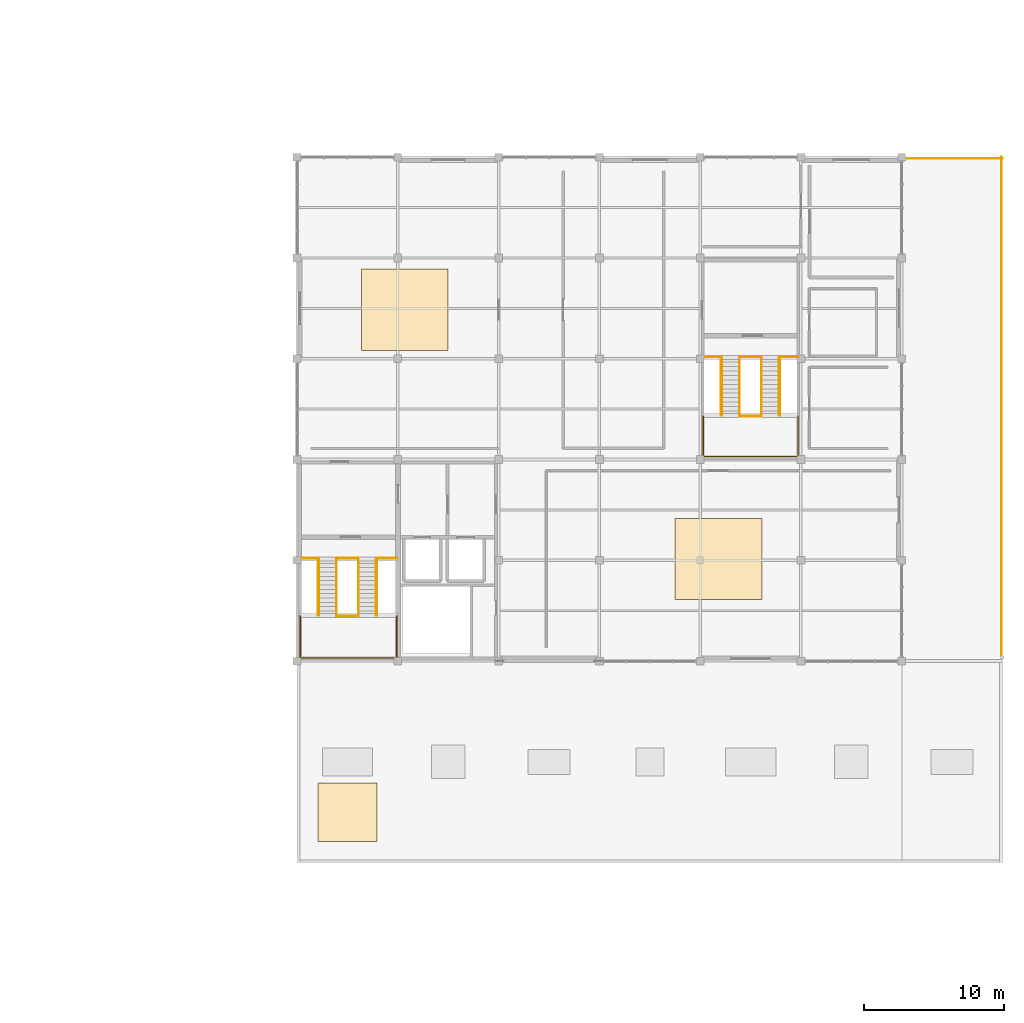
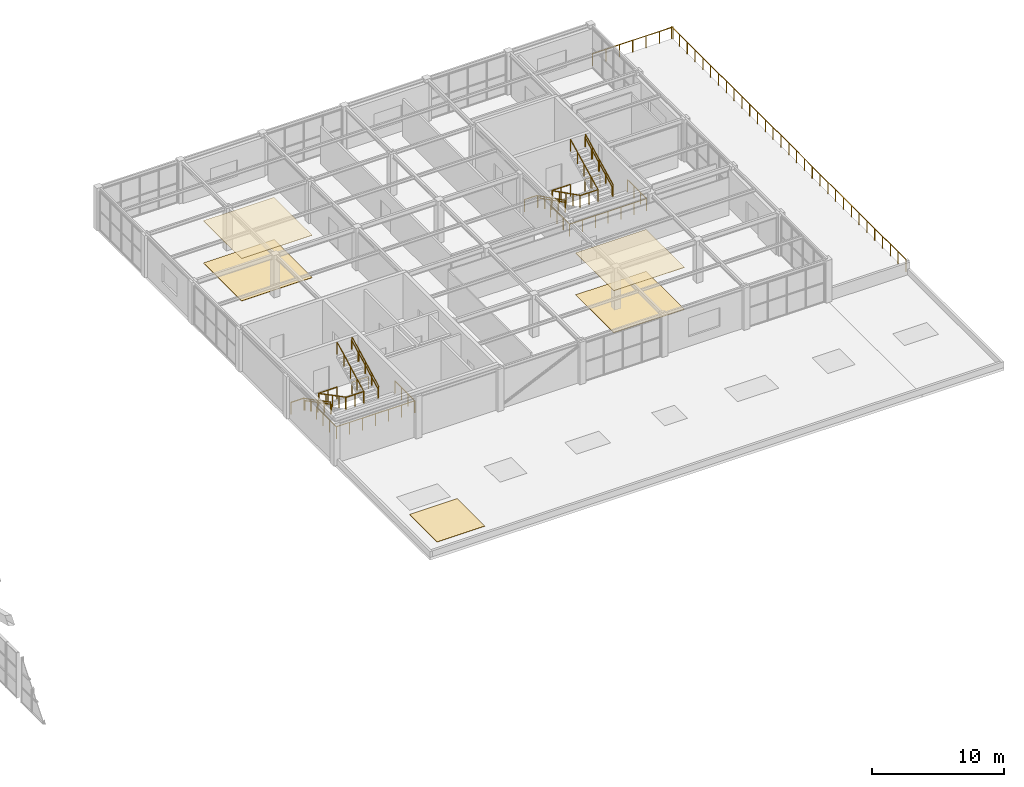
# One storey, part 64 of 64: 24 railings, 5 coverings.
"""IFC4 building model written with IfcOpenShell, lengths in metres."""

from ifc_helpers import new_model, si_unit, direction, frame, origin, origin_2d, place, context, subcontext, project, spatial, rectangle, circle, extrude, material, layer, layer_set, type_object, element, save


model = new_model("IFC4")

# Units and contexts
model_context = context("Model", 3, precision=1e-05, world=origin(), true_north=direction((0.0, 1.0)))
body_context = subcontext(model_context, "Body", "Model", "MODEL_VIEW")
ifc_project = project(units=[si_unit("LENGTHUNIT", "METRE"), si_unit("AREAUNIT", "SQUARE_METRE"), si_unit("VOLUMEUNIT", "CUBIC_METRE"), si_unit("PLANEANGLEUNIT", "RADIAN"), si_unit("MASSUNIT", "GRAM", prefix="KILO")], contexts=[model_context])

# Site, building, storey
site_placement = place(None, origin())
site = spatial("IfcSite", under=ifc_project, at=site_placement, CompositionType="ELEMENT")
building_placement = place(site_placement, origin())
building = spatial("IfcBuilding", under=site, at=building_placement, Name="Leyfeld Transit Interchange", CompositionType="ELEMENT")
storey_placement = place(building_placement, frame((0.0, 0.0, 9.60009765625)))
storey = spatial("IfcBuildingStorey", under=building, at=storey_placement, Name="L02", CompositionType="ELEMENT", Elevation=9.60009765625)

# Coverings
ifc_material_1 = material(Name="Austrian larch acoustic slat ceiling", Category="wood")
ifc_layer_1 = layer(ifc_material_1, 0.0400390625, Name="Austrian larch acoustic slat ceiling")
ifc_layer_set_1 = layer_set([ifc_layer_1], Name="Austrian larch acoustic slat ceiling")
covering_type_1 = type_object("IfcCoveringType", Name="COV-CLG-LRC", PredefinedType="CEILING", material=ifc_layer_set_1)
for number, where, z_axis, x_axis, name in (
    (1, (166.89990234375, 64.89990234375, 3.884765625), (0.0, 0.0, 1.0), (1.0, 0.0, 0.0), "Acoustic Slat Ceiling Regional Bus Scheduling Open Office"),
    (2, (144.5, 82.699951171875, 3.914794921875), (0.0, 0.0, 1.0), (1.0, 0.0, 0.0), "Acoustic Slat Ceiling Timetable Coordination Boardroom"),
):
    element("IfcCovering", number, at=place(storey_placement, frame(where, z_axis=z_axis, x_axis=x_axis)), inside=storey, type_object=covering_type_1, Name=name, PredefinedType="CEILING", context=body_context, shape_type="SweptSolid", body=[
        extrude(rectangle(XDim=6.199951171875, YDim=5.800048828125, at=origin_2d()), origin(), (0.0, 0.0, 1.0), 0.0400390625),
    ])
ifc_material_2 = material(Name="Polished Danube terrazzo flooring", Category="stone")
ifc_layer_2 = layer(ifc_material_2, 0.030029296875, Name="Polished Danube terrazzo flooring")
ifc_layer_set_2 = layer_set([ifc_layer_2], Name="Polished Danube terrazzo flooring")
covering_type_2 = type_object("IfcCoveringType", Name="COV-FLR-TRZ", PredefinedType="FLOORING", material=ifc_layer_set_2)
for number, where, z_axis, x_axis, name in (
    (3, (166.89990234375, 64.89990234375, 0.0), (0.0, 0.0, 1.0), (1.0, 0.0, 0.0), "Terrazzo Flooring Regional Bus Scheduling Open Office"),
    (4, (144.5, 82.699951171875, 0.0), (0.0, 0.0, 1.0), (1.0, 0.0, 0.0), "Terrazzo Flooring Timetable Coordination Boardroom"),
):
    element("IfcCovering", number, at=place(storey_placement, frame(where, z_axis=z_axis, x_axis=x_axis)), inside=storey, type_object=covering_type_2, Name=name, PredefinedType="FLOORING", context=body_context, shape_type="SweptSolid", body=[
        extrude(rectangle(XDim=6.199951171875, YDim=5.800048828125, at=origin_2d()), origin(), (0.0, 0.0, 1.0), 0.030029296875),
    ])
ifc_material_3 = material(Name="Standing-seam titanium-zinc roofing", Category="metal")
ifc_layer_3 = layer(ifc_material_3, 0.034912109375, Name="Standing-seam titanium-zinc roofing")
ifc_layer_set_3 = layer_set([ifc_layer_3], Name="Standing-seam titanium-zinc roofing")
covering_type_3 = type_object("IfcCoveringType", Name="COV-ROF-ZNC", PredefinedType="ROOFING", material=ifc_layer_set_3)
covering_placement = place(storey_placement, frame((140.39990234375, 46.800048828125, 0.00048828125), z_axis=(0.0, 0.0, 1.0), x_axis=(1.0, 0.0, 0.0)))
element("IfcCovering", 5, at=covering_placement, inside=storey, type_object=covering_type_3, Name="Zinc Roof Membrane L02 02", PredefinedType="ROOFING", context=body_context, shape_type="SweptSolid", body=[
    extrude(rectangle(XDim=4.199951171875, YDim=4.199951171875, at=origin_2d()), origin(), (0.0, 0.0, 1.0), 0.034912109375),
])

# Railings
ifc_material_4 = material(Name="Stainless steel EN 1.4404", Category="steel")
railing_type_1 = type_object("IfcRailingType", Name="RL-BAL-1100", PredefinedType="BALUSTRADE", material=ifc_material_4)
railing_1_placement = place(storey_placement, frame((187.1201171875, 57.9599609375, 0.0)))
element("IfcRailing", 6, at=railing_1_placement, inside=storey, type_object=railing_type_1, Name="Terrace Balustrade L02 001", PredefinedType="BALUSTRADE", context=body_context, shape_type="SweptSolid", body=[
    extrude(circle(Radius=0.02392578125, at=origin_2d()), frame((0.0, 0.0, 1.09619140625), z_axis=(0.0, 1.0, 0.0), x_axis=(-1.0, 0.0, 0.0)), (0.0, 0.0, 1.0), 35.64013671875),
    extrude(circle(Radius=0.02099609375, at=origin_2d()), origin(), (0.0, 0.0, 1.0), 1.072021484375),
    extrude(circle(Radius=0.02099609375, at=origin_2d()), frame((0.0, 1.18798828125, 0.0)), (0.0, 0.0, 1.0), 1.072021484375),
    extrude(circle(Radius=0.02099609375, at=origin_2d()), frame((0.0, 2.3759765625, 0.0)), (0.0, 0.0, 1.0), 1.072021484375),
    extrude(circle(Radius=0.02099609375, at=origin_2d()), frame((0.0, 3.56396484375, 0.0)), (0.0, 0.0, 1.0), 1.072021484375),
    extrude(circle(Radius=0.02099609375, at=origin_2d()), frame((0.0, 4.751953125, 0.0)), (0.0, 0.0, 1.0), 1.072021484375),
    extrude(circle(Radius=0.02099609375, at=origin_2d()), frame((0.0, 5.93994140625, 0.0)), (0.0, 0.0, 1.0), 1.072021484375),
    extrude(circle(Radius=0.02099609375, at=origin_2d()), frame((0.0, 7.1279296875, 0.0)), (0.0, 0.0, 1.0), 1.072021484375),
    extrude(circle(Radius=0.02099609375, at=origin_2d()), frame((0.0, 8.31591796875, 0.0)), (0.0, 0.0, 1.0), 1.072021484375),
    extrude(circle(Radius=0.02099609375, at=origin_2d()), frame((0.0, 9.504150390625, 0.0)), (0.0, 0.0, 1.0), 1.072021484375),
    extrude(circle(Radius=0.02099609375, at=origin_2d()), frame((0.0, 10.692138671875, 0.0)), (0.0, 0.0, 1.0), 1.072021484375),
    extrude(circle(Radius=0.02099609375, at=origin_2d()), frame((0.0, 11.880126953125, 0.0)), (0.0, 0.0, 1.0), 1.072021484375),
    extrude(circle(Radius=0.02099609375, at=origin_2d()), frame((0.0, 13.068115234375, 0.0)), (0.0, 0.0, 1.0), 1.072021484375),
    extrude(circle(Radius=0.02099609375, at=origin_2d()), frame((0.0, 14.256103515625, 0.0)), (0.0, 0.0, 1.0), 1.072021484375),
    extrude(circle(Radius=0.02099609375, at=origin_2d()), frame((0.0, 15.444091796875, 0.0)), (0.0, 0.0, 1.0), 1.072021484375),
    extrude(circle(Radius=0.02099609375, at=origin_2d()), frame((0.0, 16.632080078125, 0.0)), (0.0, 0.0, 1.0), 1.072021484375),
    extrude(circle(Radius=0.02099609375, at=origin_2d()), frame((0.0, 17.820068359375, 0.0)), (0.0, 0.0, 1.0), 1.072021484375),
    extrude(circle(Radius=0.02099609375, at=origin_2d()), frame((0.0, 19.008056640625, 0.0)), (0.0, 0.0, 1.0), 1.072021484375),
    extrude(circle(Radius=0.02099609375, at=origin_2d()), frame((0.0, 20.196044921875, 0.0)), (0.0, 0.0, 1.0), 1.072021484375),
    extrude(circle(Radius=0.02099609375, at=origin_2d()), frame((0.0, 21.384033203125, 0.0)), (0.0, 0.0, 1.0), 1.072021484375),
    extrude(circle(Radius=0.02099609375, at=origin_2d()), frame((0.0, 22.572021484375, 0.0)), (0.0, 0.0, 1.0), 1.072021484375),
    extrude(circle(Radius=0.02099609375, at=origin_2d()), frame((0.0, 23.760009765625, 0.0)), (0.0, 0.0, 1.0), 1.072021484375),
    extrude(circle(Radius=0.02099609375, at=origin_2d()), frame((0.0, 24.947998046875, 0.0)), (0.0, 0.0, 1.0), 1.072021484375),
    extrude(circle(Radius=0.02099609375, at=origin_2d()), frame((0.0, 26.135986328125, 0.0)), (0.0, 0.0, 1.0), 1.072021484375),
    extrude(circle(Radius=0.02099609375, at=origin_2d()), frame((0.0, 27.32421875, 0.0)), (0.0, 0.0, 1.0), 1.072021484375),
    extrude(circle(Radius=0.02099609375, at=origin_2d()), frame((0.0, 28.51220703125, 0.0)), (0.0, 0.0, 1.0), 1.072021484375),
    extrude(circle(Radius=0.02099609375, at=origin_2d()), frame((0.0, 29.7001953125, 0.0)), (0.0, 0.0, 1.0), 1.072021484375),
    extrude(circle(Radius=0.02099609375, at=origin_2d()), frame((0.0, 30.88818359375, 0.0)), (0.0, 0.0, 1.0), 1.072021484375),
    extrude(circle(Radius=0.02099609375, at=origin_2d()), frame((0.0, 32.076171875, 0.0)), (0.0, 0.0, 1.0), 1.072021484375),
    extrude(circle(Radius=0.02099609375, at=origin_2d()), frame((0.0, 33.26416015625, 0.0)), (0.0, 0.0, 1.0), 1.072021484375),
    extrude(circle(Radius=0.02099609375, at=origin_2d()), frame((0.0, 34.4521484375, 0.0)), (0.0, 0.0, 1.0), 1.072021484375),
    extrude(circle(Radius=0.02099609375, at=origin_2d()), frame((0.0, 35.64013671875, 0.0)), (0.0, 0.0, 1.0), 1.072021484375),
])
railing_2_placement = place(storey_placement, frame((187.199951171875, 93.52001953125, 0.0)))
element("IfcRailing", 7, at=railing_2_placement, inside=storey, type_object=railing_type_1, Name="Terrace Balustrade L02 002", PredefinedType="BALUSTRADE", context=body_context, shape_type="SweptSolid", body=[
    extrude(circle(Radius=0.02392578125, at=origin_2d()), frame((0.0, 0.0, 1.09619140625), z_axis=(-1.0, 0.0, 0.0), x_axis=(0.0, -1.0, 0.0)), (0.0, 0.0, 1.0), 7.079833984375),
    extrude(circle(Radius=0.02099609375, at=origin_2d()), origin(), (0.0, 0.0, 1.0), 1.072021484375),
    extrude(circle(Radius=0.02099609375, at=origin_2d()), frame((-1.179931640625, 0.0, 0.0)), (0.0, 0.0, 1.0), 1.072021484375),
    extrude(circle(Radius=0.02099609375, at=origin_2d()), frame((-2.35986328125, 0.0, 0.0)), (0.0, 0.0, 1.0), 1.072021484375),
    extrude(circle(Radius=0.02099609375, at=origin_2d()), frame((-3.5400390625, 0.0, 0.0)), (0.0, 0.0, 1.0), 1.072021484375),
    extrude(circle(Radius=0.02099609375, at=origin_2d()), frame((-4.719970703125, 0.0, 0.0)), (0.0, 0.0, 1.0), 1.072021484375),
    extrude(circle(Radius=0.02099609375, at=origin_2d()), frame((-5.89990234375, 0.0, 0.0)), (0.0, 0.0, 1.0), 1.072021484375),
    extrude(circle(Radius=0.02099609375, at=origin_2d()), frame((-7.079833984375, 0.0, 0.0)), (0.0, 0.0, 1.0), 1.072021484375),
])
railing_type_2 = type_object("IfcRailingType", Name="RL-STR-GRD-1100", PredefinedType="GUARDRAIL", material=ifc_material_4)
railing_3_placement = place(storey_placement, frame((137.159912109375, 64.949951171875, 0.0)))
element("IfcRailing", 8, at=railing_3_placement, inside=storey, type_object=railing_type_2, Name="Stair ST-04 Landing Guard FLW L02", PredefinedType="GUARDRAIL", context=body_context, shape_type="SweptSolid", body=[
    extrude(circle(Radius=0.02392578125, at=origin_2d()), frame((0.0, 0.0, 1.09619140625), z_axis=(1.0, 0.0, 0.0), x_axis=(0.0, 1.0, 0.0)), (0.0, 0.0, 1.0), 1.14013671875),
    extrude(circle(Radius=0.02099609375, at=origin_2d()), origin(), (0.0, 0.0, 1.0), 1.072021484375),
    extrude(circle(Radius=0.02099609375, at=origin_2d()), frame((1.14013671875, 0.0, 0.0)), (0.0, 0.0, 1.0), 1.072021484375),
])
railing_4_placement = place(storey_placement, frame((139.60009765625, 64.949951171875, 0.0)))
element("IfcRailing", 9, at=railing_4_placement, inside=storey, type_object=railing_type_2, Name="Stair ST-04 Landing Guard EYE L02", PredefinedType="GUARDRAIL", context=body_context, shape_type="SweptSolid", body=[
    extrude(circle(Radius=0.02392578125, at=origin_2d()), frame((0.0, 0.0, 1.09619140625), z_axis=(1.0, 0.0, 0.0), x_axis=(0.0, 1.0, 0.0)), (0.0, 0.0, 1.0), 1.599853515625),
    extrude(circle(Radius=0.02099609375, at=origin_2d()), origin(), (0.0, 0.0, 1.0), 1.072021484375),
    extrude(circle(Radius=0.02099609375, at=origin_2d()), frame((0.7998046875, 0.0, 0.0)), (0.0, 0.0, 1.0), 1.072021484375),
    extrude(circle(Radius=0.02099609375, at=origin_2d()), frame((1.599853515625, 0.0, 0.0)), (0.0, 0.0, 1.0), 1.072021484375),
])
railing_5_placement = place(storey_placement, frame((142.5, 64.949951171875, 0.0)))
element("IfcRailing", 10, at=railing_5_placement, inside=storey, type_object=railing_type_2, Name="Stair ST-04 Landing Guard FLE L02", PredefinedType="GUARDRAIL", context=body_context, shape_type="SweptSolid", body=[
    extrude(circle(Radius=0.02392578125, at=origin_2d()), frame((0.0, 0.0, 1.09619140625), z_axis=(1.0, 0.0, 0.0), x_axis=(0.0, 1.0, 0.0)), (0.0, 0.0, 1.0), 1.449951171875),
    extrude(circle(Radius=0.02099609375, at=origin_2d()), origin(), (0.0, 0.0, 1.0), 1.072021484375),
    extrude(circle(Radius=0.02099609375, at=origin_2d()), frame((0.72509765625, 0.0, 0.0)), (0.0, 0.0, 1.0), 1.072021484375),
    extrude(circle(Radius=0.02099609375, at=origin_2d()), frame((1.449951171875, 0.0, 0.0)), (0.0, 0.0, 1.0), 1.072021484375),
])
railing_6_placement = place(storey_placement, frame((139.610107421875, 60.830078125, 2.099853515625)))
element("IfcRailing", 11, at=railing_6_placement, inside=storey, type_object=railing_type_2, Name="Stair ST-04 L02 Half-Landing Inner Guard", PredefinedType="GUARDRAIL", context=body_context, shape_type="SweptSolid", body=[
    extrude(circle(Radius=0.02392578125, at=origin_2d()), frame((0.0, 0.0, 1.09619140625), z_axis=(1.0, 0.0, 0.0), x_axis=(0.0, 1.0, 0.0)), (0.0, 0.0, 1.0), 1.579833984375),
    extrude(circle(Radius=0.02099609375, at=origin_2d()), origin(), (0.0, 0.0, 1.0), 1.072021484375),
    extrude(circle(Radius=0.02099609375, at=origin_2d()), frame((0.7900390625, 0.0, 0.0)), (0.0, 0.0, 1.0), 1.072021484375),
    extrude(circle(Radius=0.02099609375, at=origin_2d()), frame((1.579833984375, 0.0, 0.0)), (0.0, 0.0, 1.0), 1.072021484375),
])
railing_7_placement = place(storey_placement, frame((137.030029296875, 60.830078125, 2.099853515625)))
element("IfcRailing", 12, at=railing_7_placement, inside=storey, type_object=railing_type_2, Name="Stair ST-04 L02 Half-Landing Perimeter Guard", PredefinedType="GUARDRAIL", context=body_context, shape_type="SweptSolid", body=[
    extrude(circle(Radius=0.02392578125, at=origin_2d()), frame((0.0, 0.0, 1.09619140625), z_axis=(0.0, -1.0, 0.0), x_axis=(1.0, 0.0, 0.0)), (0.0, 0.0, 1.0), 3.0),
    extrude(circle(Radius=0.02392578125, at=origin_2d()), frame((0.0, -3.0, 1.09619140625), z_axis=(1.0, 0.0, 0.0), x_axis=(0.0, 1.0, 0.0)), (0.0, 0.0, 1.0), 6.889892578125),
    extrude(circle(Radius=0.02392578125, at=origin_2d()), frame((6.889892578125, -3.0, 1.09619140625), z_axis=(0.0, 1.0, 0.0), x_axis=(-1.0, 0.0, 0.0)), (0.0, 0.0, 1.0), 3.0),
    extrude(circle(Radius=0.02099609375, at=origin_2d()), origin(), (0.0, 0.0, 1.0), 1.072021484375),
    extrude(circle(Radius=0.02099609375, at=origin_2d()), frame((0.0, -1.0, 0.0)), (0.0, 0.0, 1.0), 1.072021484375),
    extrude(circle(Radius=0.02099609375, at=origin_2d()), frame((0.0, -2.0, 0.0)), (0.0, 0.0, 1.0), 1.072021484375),
    extrude(circle(Radius=0.02099609375, at=origin_2d()), frame((0.0, -3.0, 0.0)), (0.0, 0.0, 1.0), 1.072021484375),
    extrude(circle(Radius=0.02099609375, at=origin_2d()), frame((1.1484375, -3.0, 0.0)), (0.0, 0.0, 1.0), 1.072021484375),
    extrude(circle(Radius=0.02099609375, at=origin_2d()), frame((2.296630859375, -3.0, 0.0)), (0.0, 0.0, 1.0), 1.072021484375),
    extrude(circle(Radius=0.02099609375, at=origin_2d()), frame((3.44482421875, -3.0, 0.0)), (0.0, 0.0, 1.0), 1.072021484375),
    extrude(circle(Radius=0.02099609375, at=origin_2d()), frame((4.59326171875, -3.0, 0.0)), (0.0, 0.0, 1.0), 1.072021484375),
    extrude(circle(Radius=0.02099609375, at=origin_2d()), frame((5.74169921875, -3.0, 0.0)), (0.0, 0.0, 1.0), 1.072021484375),
    extrude(circle(Radius=0.02099609375, at=origin_2d()), frame((6.889892578125, -3.0, 0.0)), (0.0, 0.0, 1.0), 1.072021484375),
    extrude(circle(Radius=0.02099609375, at=origin_2d()), frame((6.889892578125, -2.0, 0.0)), (0.0, 0.0, 1.0), 1.072021484375),
    extrude(circle(Radius=0.02099609375, at=origin_2d()), frame((6.889892578125, -1.0, 0.0)), (0.0, 0.0, 1.0), 1.072021484375),
    extrude(circle(Radius=0.02099609375, at=origin_2d()), frame((6.889892578125, 0.0, 0.0)), (0.0, 0.0, 1.0), 1.072021484375),
])
for number, where, name in (
    (13, (139.610107421875, 64.89990234375, 0.0), "Stair ST-04 L02 F1 Inner Guard"),
    (14, (138.2900390625, 64.89990234375, 0.0), "Stair ST-04 L02 F1 Outer Guard"),
):
    element("IfcRailing", number, at=place(storey_placement, frame(where)), inside=storey, type_object=railing_type_2, Name=name, PredefinedType="GUARDRAIL", context=body_context, shape_type="SweptSolid", body=[
        extrude(circle(Radius=0.02392578125, at=origin_2d()), frame((0.0, 0.0, 1.09619140625), z_axis=(0.0, -0.886823268033, 0.462108743993), x_axis=(1.0, 0.0, 0.0)), (0.0, 0.0, 1.0), 4.544189453125),
        extrude(circle(Radius=0.02099609375, at=origin_2d()), origin(), (0.0, 0.0, 1.0), 1.072021484375),
        extrude(circle(Radius=0.02099609375, at=origin_2d()), frame((0.0, -1.00732421875, 0.52490234375)), (0.0, 0.0, 1.0), 1.072021484375),
        extrude(circle(Radius=0.02099609375, at=origin_2d()), frame((0.0, -2.014892578125, 1.0498046875)), (0.0, 0.0, 1.0), 1.072021484375),
        extrude(circle(Radius=0.02099609375, at=origin_2d()), frame((0.0, -3.0224609375, 1.574951171875)), (0.0, 0.0, 1.0), 1.072021484375),
        extrude(circle(Radius=0.02099609375, at=origin_2d()), frame((0.0, -4.02978515625, 2.099853515625)), (0.0, 0.0, 1.0), 1.072021484375),
    ])
for number, where, name in (
    (15, (141.18994140625, 60.8701171875, 2.099853515625), "Stair ST-04 L02 F2 Inner Guard"),
    (16, (142.510009765625, 60.8701171875, 2.099853515625), "Stair ST-04 L02 F2 Outer Guard"),
):
    element("IfcRailing", number, at=place(storey_placement, frame(where)), inside=storey, type_object=railing_type_2, Name=name, PredefinedType="GUARDRAIL", context=body_context, shape_type="SweptSolid", body=[
        extrude(circle(Radius=0.02392578125, at=origin_2d()), frame((0.0, 0.0, 1.09619140625), z_axis=(0.0, 0.886801249642, 0.462150996572), x_axis=(-1.0, 0.0, 0.0)), (0.0, 0.0, 1.0), 4.544189453125),
        extrude(circle(Radius=0.02099609375, at=origin_2d()), origin(), (0.0, 0.0, 1.0), 1.072021484375),
        extrude(circle(Radius=0.02099609375, at=origin_2d()), frame((0.0, 1.00732421875, 0.52490234375)), (0.0, 0.0, 1.0), 1.072021484375),
        extrude(circle(Radius=0.02099609375, at=origin_2d()), frame((0.0, 2.014892578125, 1.050048828125)), (0.0, 0.0, 1.0), 1.072021484375),
        extrude(circle(Radius=0.02099609375, at=origin_2d()), frame((0.0, 3.0224609375, 1.5751953125)), (0.0, 0.0, 1.0), 1.072021484375),
        extrude(circle(Radius=0.02099609375, at=origin_2d()), frame((0.0, 4.02978515625, 2.10009765625)), (0.0, 0.0, 1.0), 1.072021484375),
    ])
railing_8_placement = place(storey_placement, frame((165.9599609375, 79.35009765625, 0.0)))
element("IfcRailing", 17, at=railing_8_placement, inside=storey, type_object=railing_type_2, Name="Stair ST-05 Landing Guard FLW L02", PredefinedType="GUARDRAIL", context=body_context, shape_type="SweptSolid", body=[
    extrude(circle(Radius=0.02392578125, at=origin_2d()), frame((0.0, 0.0, 1.09619140625), z_axis=(1.0, 0.0, 0.0), x_axis=(0.0, 1.0, 0.0)), (0.0, 0.0, 1.0), 1.14013671875),
    extrude(circle(Radius=0.02099609375, at=origin_2d()), origin(), (0.0, 0.0, 1.0), 1.072021484375),
    extrude(circle(Radius=0.02099609375, at=origin_2d()), frame((1.14013671875, 0.0, 0.0)), (0.0, 0.0, 1.0), 1.072021484375),
])
railing_9_placement = place(storey_placement, frame((168.39990234375, 79.35009765625, 0.0)))
element("IfcRailing", 18, at=railing_9_placement, inside=storey, type_object=railing_type_2, Name="Stair ST-05 Landing Guard EYE L02", PredefinedType="GUARDRAIL", context=body_context, shape_type="SweptSolid", body=[
    extrude(circle(Radius=0.02392578125, at=origin_2d()), frame((0.0, 0.0, 1.09619140625), z_axis=(1.0, 0.0, 0.0), x_axis=(0.0, 1.0, 0.0)), (0.0, 0.0, 1.0), 1.60009765625),
    extrude(circle(Radius=0.02099609375, at=origin_2d()), origin(), (0.0, 0.0, 1.0), 1.072021484375),
    extrude(circle(Radius=0.02099609375, at=origin_2d()), frame((0.800048828125, 0.0, 0.0)), (0.0, 0.0, 1.0), 1.072021484375),
    extrude(circle(Radius=0.02099609375, at=origin_2d()), frame((1.60009765625, 0.0, 0.0)), (0.0, 0.0, 1.0), 1.072021484375),
])
railing_10_placement = place(storey_placement, frame((171.300048828125, 79.35009765625, 0.0)))
element("IfcRailing", 19, at=railing_10_placement, inside=storey, type_object=railing_type_2, Name="Stair ST-05 Landing Guard FLE L02", PredefinedType="GUARDRAIL", context=body_context, shape_type="SweptSolid", body=[
    extrude(circle(Radius=0.02392578125, at=origin_2d()), frame((0.0, 0.0, 1.09619140625), z_axis=(1.0, 0.0, 0.0), x_axis=(0.0, 1.0, 0.0)), (0.0, 0.0, 1.0), 1.31494140625),
    extrude(circle(Radius=0.02099609375, at=origin_2d()), origin(), (0.0, 0.0, 1.0), 1.072021484375),
    extrude(circle(Radius=0.02099609375, at=origin_2d()), frame((0.657470703125, 0.0, 0.0)), (0.0, 0.0, 1.0), 1.072021484375),
    extrude(circle(Radius=0.02099609375, at=origin_2d()), frame((1.31494140625, 0.0, 0.0)), (0.0, 0.0, 1.0), 1.072021484375),
])
railing_11_placement = place(storey_placement, frame((168.409912109375, 75.10009765625, 2.099853515625)))
element("IfcRailing", 20, at=railing_11_placement, inside=storey, type_object=railing_type_2, Name="Stair ST-05 L02 Half-Landing Inner Guard", PredefinedType="GUARDRAIL", context=body_context, shape_type="SweptSolid", body=[
    extrude(circle(Radius=0.02392578125, at=origin_2d()), frame((0.0, 0.0, 1.09619140625), z_axis=(1.0, 0.0, 0.0), x_axis=(0.0, 1.0, 0.0)), (0.0, 0.0, 1.0), 1.580078125),
    extrude(circle(Radius=0.02099609375, at=origin_2d()), origin(), (0.0, 0.0, 1.0), 1.072021484375),
    extrude(circle(Radius=0.02099609375, at=origin_2d()), frame((0.7900390625, 0.0, 0.0)), (0.0, 0.0, 1.0), 1.072021484375),
    extrude(circle(Radius=0.02099609375, at=origin_2d()), frame((1.580078125, 0.0, 0.0)), (0.0, 0.0, 1.0), 1.072021484375),
])
railing_12_placement = place(storey_placement, frame((165.81494140625, 75.10009765625, 2.099853515625)))
element("IfcRailing", 21, at=railing_12_placement, inside=storey, type_object=railing_type_2, Name="Stair ST-05 L02 Half-Landing Perimeter Guard", PredefinedType="GUARDRAIL", context=body_context, shape_type="SweptSolid", body=[
    extrude(circle(Radius=0.02392578125, at=origin_2d()), frame((0.0, 0.0, 1.09619140625), z_axis=(0.0, -1.0, 0.0), x_axis=(1.0, 0.0, 0.0)), (0.0, 0.0, 1.0), 2.885009765625),
    extrude(circle(Radius=0.02392578125, at=origin_2d()), frame((0.0, -2.885009765625, 1.09619140625), z_axis=(1.0, 0.0, 0.0), x_axis=(0.0, 1.0, 0.0)), (0.0, 0.0, 1.0), 6.77001953125),
    extrude(circle(Radius=0.02392578125, at=origin_2d()), frame((6.77001953125, -2.885009765625, 1.09619140625), z_axis=(0.0, 1.0, 0.0), x_axis=(-1.0, 0.0, 0.0)), (0.0, 0.0, 1.0), 2.885009765625),
    extrude(circle(Radius=0.02099609375, at=origin_2d()), origin(), (0.0, 0.0, 1.0), 1.072021484375),
    extrude(circle(Radius=0.02099609375, at=origin_2d()), frame((0.0, -0.961669921875, 0.0)), (0.0, 0.0, 1.0), 1.072021484375),
    extrude(circle(Radius=0.02099609375, at=origin_2d()), frame((0.0, -1.92333984375, 0.0)), (0.0, 0.0, 1.0), 1.072021484375),
    extrude(circle(Radius=0.02099609375, at=origin_2d()), frame((0.0, -2.885009765625, 0.0)), (0.0, 0.0, 1.0), 1.072021484375),
    extrude(circle(Radius=0.02099609375, at=origin_2d()), frame((1.12841796875, -2.885009765625, 0.0)), (0.0, 0.0, 1.0), 1.072021484375),
    extrude(circle(Radius=0.02099609375, at=origin_2d()), frame((2.256591796875, -2.885009765625, 0.0)), (0.0, 0.0, 1.0), 1.072021484375),
    extrude(circle(Radius=0.02099609375, at=origin_2d()), frame((3.385009765625, -2.885009765625, 0.0)), (0.0, 0.0, 1.0), 1.072021484375),
    extrude(circle(Radius=0.02099609375, at=origin_2d()), frame((4.513427734375, -2.885009765625, 0.0)), (0.0, 0.0, 1.0), 1.072021484375),
    extrude(circle(Radius=0.02099609375, at=origin_2d()), frame((5.6416015625, -2.885009765625, 0.0)), (0.0, 0.0, 1.0), 1.072021484375),
    extrude(circle(Radius=0.02099609375, at=origin_2d()), frame((6.77001953125, -2.885009765625, 0.0)), (0.0, 0.0, 1.0), 1.072021484375),
    extrude(circle(Radius=0.02099609375, at=origin_2d()), frame((6.77001953125, -1.92333984375, 0.0)), (0.0, 0.0, 1.0), 1.072021484375),
    extrude(circle(Radius=0.02099609375, at=origin_2d()), frame((6.77001953125, -0.961669921875, 0.0)), (0.0, 0.0, 1.0), 1.072021484375),
    extrude(circle(Radius=0.02099609375, at=origin_2d()), frame((6.77001953125, 0.0, 0.0)), (0.0, 0.0, 1.0), 1.072021484375),
])
for number, where, name in (
    (22, (168.409912109375, 79.300048828125, 0.0), "Stair ST-05 L02 F1 Inner Guard"),
    (23, (167.090087890625, 79.300048828125, 0.0), "Stair ST-05 L02 F1 Outer Guard"),
):
    element("IfcRailing", number, at=place(storey_placement, frame(where)), inside=storey, type_object=railing_type_2, Name=name, PredefinedType="GUARDRAIL", context=body_context, shape_type="SweptSolid", body=[
        extrude(circle(Radius=0.02392578125, at=origin_2d()), frame((0.0, 0.0, 1.09619140625), z_axis=(0.0, -0.892723316593, 0.450605237442), x_axis=(1.0, 0.0, 0.0)), (0.0, 0.0, 1.0), 4.66015625),
        extrude(circle(Radius=0.02099609375, at=origin_2d()), origin(), (0.0, 0.0, 1.0), 1.072021484375),
        extrude(circle(Radius=0.02099609375, at=origin_2d()), frame((0.0, -1.0400390625, 0.52490234375)), (0.0, 0.0, 1.0), 1.072021484375),
        extrude(circle(Radius=0.02099609375, at=origin_2d()), frame((0.0, -2.080078125, 1.0498046875)), (0.0, 0.0, 1.0), 1.072021484375),
        extrude(circle(Radius=0.02099609375, at=origin_2d()), frame((0.0, -3.1201171875, 1.574951171875)), (0.0, 0.0, 1.0), 1.072021484375),
        extrude(circle(Radius=0.02099609375, at=origin_2d()), frame((0.0, -4.16015625, 2.099853515625)), (0.0, 0.0, 1.0), 1.072021484375),
    ])
for number, where, name in (
    (24, (169.989990234375, 75.139892578125, 2.099853515625), "Stair ST-05 L02 F2 Inner Guard"),
    (25, (171.31005859375, 75.139892578125, 2.099853515625), "Stair ST-05 L02 F2 Outer Guard"),
):
    element("IfcRailing", number, at=place(storey_placement, frame(where)), inside=storey, type_object=railing_type_2, Name=name, PredefinedType="GUARDRAIL", context=body_context, shape_type="SweptSolid", body=[
        extrude(circle(Radius=0.02392578125, at=origin_2d()), frame((0.0, 0.0, 1.09619140625), z_axis=(0.0, 0.892702241463, 0.450646988325), x_axis=(-1.0, 0.0, 0.0)), (0.0, 0.0, 1.0), 4.66015625),
        extrude(circle(Radius=0.02099609375, at=origin_2d()), origin(), (0.0, 0.0, 1.0), 1.072021484375),
        extrude(circle(Radius=0.02099609375, at=origin_2d()), frame((0.0, 1.0400390625, 0.52490234375)), (0.0, 0.0, 1.0), 1.072021484375),
        extrude(circle(Radius=0.02099609375, at=origin_2d()), frame((0.0, 2.080078125, 1.050048828125)), (0.0, 0.0, 1.0), 1.072021484375),
        extrude(circle(Radius=0.02099609375, at=origin_2d()), frame((0.0, 3.1201171875, 1.5751953125)), (0.0, 0.0, 1.0), 1.072021484375),
        extrude(circle(Radius=0.02099609375, at=origin_2d()), frame((0.0, 4.16015625, 2.10009765625)), (0.0, 0.0, 1.0), 1.072021484375),
    ])
railing_type_3 = type_object("IfcRailingType", Name="RL-STR-HND-900", PredefinedType="HANDRAIL", material=ifc_material_4)
railing_13_placement = place(storey_placement, frame((138.35009765625, 64.89990234375, 0.0)))
element("IfcRailing", 26, at=railing_13_placement, inside=storey, type_object=railing_type_3, Name="Stair ST-04 L02 F1 Handrail", PredefinedType="HANDRAIL", context=body_context, shape_type="SweptSolid", body=[
    extrude(circle(Radius=0.02392578125, at=origin_2d()), frame((0.0, 0.0, 0.8759765625), z_axis=(0.0, -0.886823268033, 0.462108743993), x_axis=(1.0, 0.0, 0.0)), (0.0, 0.0, 1.0), 4.544189453125),
    extrude(circle(Radius=0.02099609375, at=origin_2d()), origin(), (0.0, 0.0, 1.0), 0.851806640625),
    extrude(circle(Radius=0.02099609375, at=origin_2d()), frame((0.0, -1.00732421875, 0.52490234375)), (0.0, 0.0, 1.0), 0.851806640625),
    extrude(circle(Radius=0.02099609375, at=origin_2d()), frame((0.0, -2.014892578125, 1.0498046875)), (0.0, 0.0, 1.0), 0.851806640625),
    extrude(circle(Radius=0.02099609375, at=origin_2d()), frame((0.0, -3.0224609375, 1.574951171875)), (0.0, 0.0, 1.0), 0.851806640625),
    extrude(circle(Radius=0.02099609375, at=origin_2d()), frame((0.0, -4.02978515625, 2.099853515625)), (0.0, 0.0, 1.0), 0.851806640625),
])
railing_14_placement = place(storey_placement, frame((142.449951171875, 60.8701171875, 2.099853515625)))
element("IfcRailing", 27, at=railing_14_placement, inside=storey, type_object=railing_type_3, Name="Stair ST-04 L02 F2 Handrail", PredefinedType="HANDRAIL", context=body_context, shape_type="SweptSolid", body=[
    extrude(circle(Radius=0.02392578125, at=origin_2d()), frame((0.0, 0.0, 0.8759765625), z_axis=(0.0, 0.886801249642, 0.462150996572), x_axis=(-1.0, 0.0, 0.0)), (0.0, 0.0, 1.0), 4.544189453125),
    extrude(circle(Radius=0.02099609375, at=origin_2d()), origin(), (0.0, 0.0, 1.0), 0.851806640625),
    extrude(circle(Radius=0.02099609375, at=origin_2d()), frame((0.0, 1.00732421875, 0.52490234375)), (0.0, 0.0, 1.0), 0.851806640625),
    extrude(circle(Radius=0.02099609375, at=origin_2d()), frame((0.0, 2.014892578125, 1.050048828125)), (0.0, 0.0, 1.0), 0.851806640625),
    extrude(circle(Radius=0.02099609375, at=origin_2d()), frame((0.0, 3.0224609375, 1.5751953125)), (0.0, 0.0, 1.0), 0.851806640625),
    extrude(circle(Radius=0.02099609375, at=origin_2d()), frame((0.0, 4.02978515625, 2.10009765625)), (0.0, 0.0, 1.0), 0.851806640625),
])
railing_15_placement = place(storey_placement, frame((167.14990234375, 79.300048828125, 0.0)))
element("IfcRailing", 28, at=railing_15_placement, inside=storey, type_object=railing_type_3, Name="Stair ST-05 L02 F1 Handrail", PredefinedType="HANDRAIL", context=body_context, shape_type="SweptSolid", body=[
    extrude(circle(Radius=0.02392578125, at=origin_2d()), frame((0.0, 0.0, 0.8759765625), z_axis=(0.0, -0.892723316593, 0.450605237442), x_axis=(1.0, 0.0, 0.0)), (0.0, 0.0, 1.0), 4.66015625),
    extrude(circle(Radius=0.02099609375, at=origin_2d()), origin(), (0.0, 0.0, 1.0), 0.851806640625),
    extrude(circle(Radius=0.02099609375, at=origin_2d()), frame((0.0, -1.0400390625, 0.52490234375)), (0.0, 0.0, 1.0), 0.851806640625),
    extrude(circle(Radius=0.02099609375, at=origin_2d()), frame((0.0, -2.080078125, 1.0498046875)), (0.0, 0.0, 1.0), 0.851806640625),
    extrude(circle(Radius=0.02099609375, at=origin_2d()), frame((0.0, -3.1201171875, 1.574951171875)), (0.0, 0.0, 1.0), 0.851806640625),
    extrude(circle(Radius=0.02099609375, at=origin_2d()), frame((0.0, -4.16015625, 2.099853515625)), (0.0, 0.0, 1.0), 0.851806640625),
])
railing_16_placement = place(storey_placement, frame((171.25, 75.139892578125, 2.099853515625)))
element("IfcRailing", 29, at=railing_16_placement, inside=storey, type_object=railing_type_3, Name="Stair ST-05 L02 F2 Handrail", PredefinedType="HANDRAIL", context=body_context, shape_type="SweptSolid", body=[
    extrude(circle(Radius=0.02392578125, at=origin_2d()), frame((0.0, 0.0, 0.8759765625), z_axis=(0.0, 0.892702241463, 0.450646988325), x_axis=(-1.0, 0.0, 0.0)), (0.0, 0.0, 1.0), 4.66015625),
    extrude(circle(Radius=0.02099609375, at=origin_2d()), origin(), (0.0, 0.0, 1.0), 0.851806640625),
    extrude(circle(Radius=0.02099609375, at=origin_2d()), frame((0.0, 1.0400390625, 0.52490234375)), (0.0, 0.0, 1.0), 0.851806640625),
    extrude(circle(Radius=0.02099609375, at=origin_2d()), frame((0.0, 2.080078125, 1.050048828125)), (0.0, 0.0, 1.0), 0.851806640625),
    extrude(circle(Radius=0.02099609375, at=origin_2d()), frame((0.0, 3.1201171875, 1.5751953125)), (0.0, 0.0, 1.0), 0.851806640625),
    extrude(circle(Radius=0.02099609375, at=origin_2d()), frame((0.0, 4.16015625, 2.10009765625)), (0.0, 0.0, 1.0), 0.851806640625),
])

save(model, "model.ifc")
